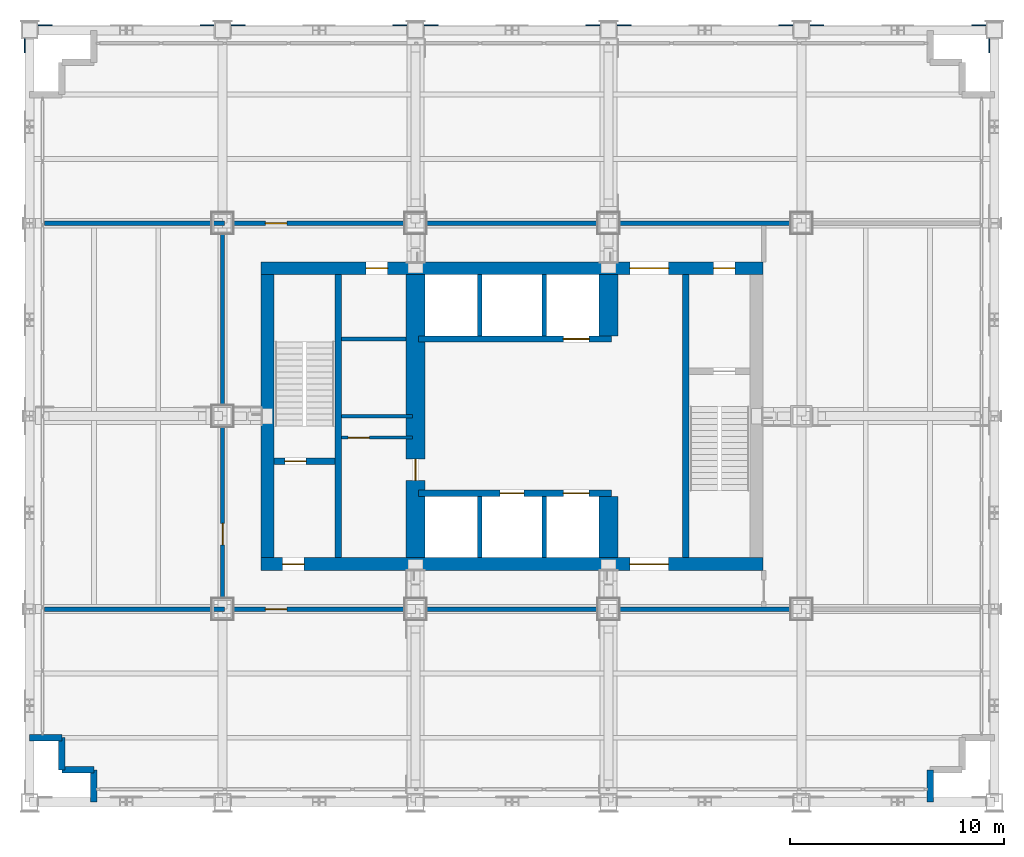
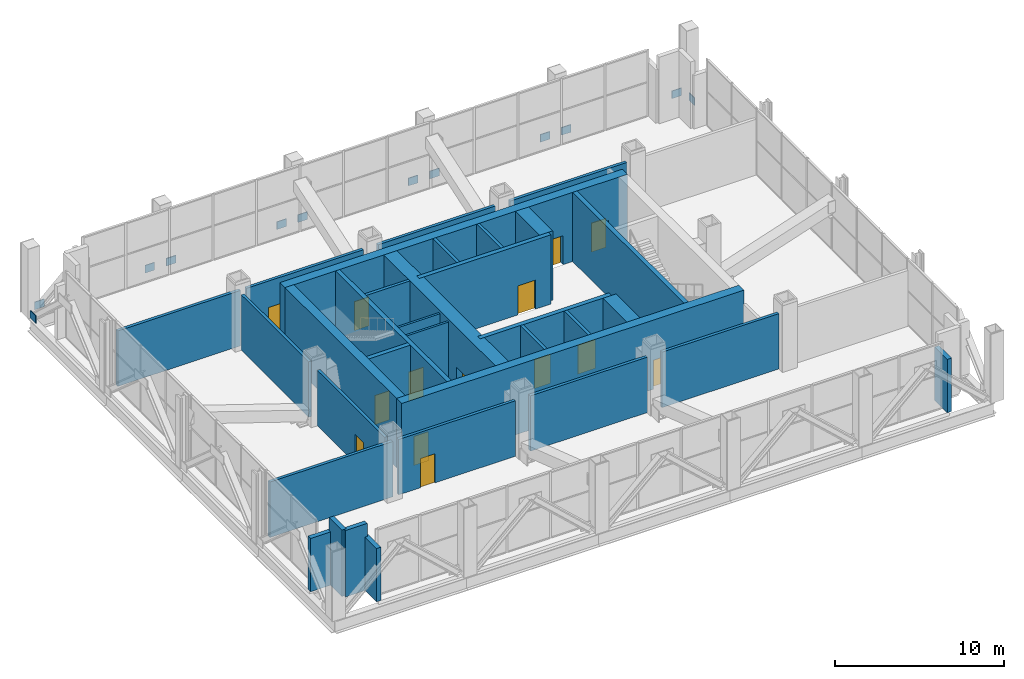
# One storey, part 14 of 16: 33 walls, 14 doors, 12 plates, 14 openings.
"""IFC4 building model written with IfcOpenShell, lengths in metres."""

import ifcopenshell
import ifcopenshell.guid

model = None  # the IFC model being written
_history = None  # IfcOwnerHistory: only IFC2X3 demands one
_inside = {}  # id of a spatial element -> (the spatial element, [elements in it])
_under = {}  # id of a project, library or spatial element -> (it, [spatial elements below it])
_declared = {}  # id of a project -> (the project, [libraries it declares])
_typed = {}  # id of a type object -> (the type object, [elements of that type])
_made_of = {}  # id of a material, layer set ... -> (it, [elements and type objects made of it])


def new_model(schema):
    """Start an empty IFC model of exactly this schema.

    Asked for "IFC4X3", IfcOpenShell would pick the latest addendum, in which some entities
    have other attributes; the version numbers below select the first issue.
    IFC2X3 requires an IfcOwnerHistory on every rooted entity: one is made here for all.
    """
    global model, _history
    if schema == "IFC4X3":
        model = ifcopenshell.file(schema_version=(4, 3, 0, 0))
    else:
        model = ifcopenshell.file(schema=schema)
    _inside.clear()
    _under.clear()
    _declared.clear()
    _typed.clear()
    _made_of.clear()
    _history = None
    if model.schema == "IFC2X3":
        org = make("IfcOrganization", Name="unknown")
        user = make(
            "IfcPersonAndOrganization",
            ThePerson=make("IfcPerson", FamilyName="unknown"),
            TheOrganization=org,
        )
        app = make(
            "IfcApplication",
            ApplicationDeveloper=org,
            Version="unknown",
            ApplicationFullName="unknown",
            ApplicationIdentifier="unknown",
        )
        _history = make(
            "IfcOwnerHistory",
            OwningUser=user,
            OwningApplication=app,
            ChangeAction="ADDED",
            CreationDate=0,
        )
    return model


def make(cls, **values):
    """One entity of the class cls with the attributes given. An attribute that is None is left unset."""
    return model.create_entity(
        cls, **{name: value for name, value in values.items() if value is not None}
    )


def rooted(cls, **values):
    """An entity with a GlobalId (a new one), such as an element, a storey or a relation."""
    return make(cls, GlobalId=ifcopenshell.guid.new(), OwnerHistory=_history, **values)


def si_unit(unit_type, name, prefix=None):
    """IfcSIUnit, for example si_unit("LENGTHUNIT", "METRE", prefix="MILLI")."""
    return make("IfcSIUnit", UnitType=unit_type, Prefix=prefix, Name=name)


def assignment(units):
    """IfcUnitAssignment: the units of a project."""
    return None if units is None else make("IfcUnitAssignment", Units=units)


def point(xyz):
    """IfcCartesianPoint."""
    return None if xyz is None else make("IfcCartesianPoint", Coordinates=xyz)


def direction(xyz):
    """IfcDirection."""
    return None if xyz is None else make("IfcDirection", DirectionRatios=xyz)


def frame(location, z_axis=None, x_axis=None):
    """IfcAxis2Placement3D, a coordinate frame: its origin and axes. An axis left out is left unset."""
    return make(
        "IfcAxis2Placement3D",
        Location=point(location),
        Axis=direction(z_axis),
        RefDirection=direction(x_axis),
    )


def frame_2d(location, x_axis=None):
    """IfcAxis2Placement2D, a coordinate frame in the plane: its origin and x axis."""
    return make(
        "IfcAxis2Placement2D", Location=point(location), RefDirection=direction(x_axis)
    )


def origin():
    """The frame at (0, 0, 0) with its axes left unset."""
    return frame((0.0, 0.0, 0.0))


def origin_2d():
    """The frame at (0, 0) in the plane with its x axis left unset."""
    return frame_2d((0.0, 0.0))


def place(relative_to, where):
    """IfcLocalPlacement: puts the frame where relative to a parent placement (None: the world)."""
    return make(
        "IfcLocalPlacement", PlacementRelTo=relative_to, RelativePlacement=where
    )


def context(
    kind, dimensions, precision=None, world=None, true_north=None, identifier=None
):
    """IfcGeometricRepresentationContext, for example the 3D "Model" context."""
    return make(
        "IfcGeometricRepresentationContext",
        ContextIdentifier=identifier,
        ContextType=kind,
        CoordinateSpaceDimension=dimensions,
        Precision=precision,
        WorldCoordinateSystem=world,
        TrueNorth=true_north,
    )


def subcontext(parent, identifier, kind, view, scale=None):
    """IfcGeometricRepresentationSubContext, for example "Body" below "Model"."""
    return make(
        "IfcGeometricRepresentationSubContext",
        ContextIdentifier=identifier,
        ContextType=kind,
        ParentContext=parent,
        TargetScale=scale,
        TargetView=view,
    )


def project(units=None, contexts=None):
    """IfcProject with its units and contexts."""
    return rooted(
        "IfcProject",
        Name="project",
        RepresentationContexts=contexts,
        UnitsInContext=assignment(units),
    )


def spatial(cls, under=None, at=None, **own):
    """A site, building, storey or space (cls), placed at a placement, below another one or the project."""
    s = rooted(cls, ObjectPlacement=at, **own)
    if under is not None:
        _under.setdefault(under.id(), (under, []))[1].append(s)
    return s


def profile(cls, at=None, kind="AREA", **sizes):
    """A parametric profile (cls). Its sizes go by their IFC names, for example OverallWidth=200.0."""
    return make(cls, ProfileType=kind, Position=at, **sizes)


def rectangle(**sizes):
    """IfcRectangleProfileDef."""
    return profile("IfcRectangleProfileDef", **sizes)


def extrude(swept, where, along, depth):
    """IfcExtrudedAreaSolid: the profile swept, set in the frame where, extruded along a direction by depth."""
    return make(
        "IfcExtrudedAreaSolid",
        SweptArea=swept,
        Position=where,
        ExtrudedDirection=direction(along),
        Depth=depth,
    )


def shape(context_of_items, identifier, shape_type, items):
    """IfcShapeRepresentation: the items that make up one representation, for example the "Body"."""
    return make(
        "IfcShapeRepresentation",
        ContextOfItems=context_of_items,
        RepresentationIdentifier=identifier,
        RepresentationType=shape_type,
        Items=items,
    )


def material(Name=None, Category=None):
    """IfcMaterial."""
    return make("IfcMaterial", Name=Name, Category=Category)


def layer(
    of_material, thickness, ventilated=None, Name=None, Category=None, Priority=None
):
    """IfcMaterialLayer: one layer of a wall or slab, of a material (None: an air gap)."""
    return make(
        "IfcMaterialLayer",
        Material=of_material,
        LayerThickness=thickness,
        IsVentilated=ventilated,
        Name=Name,
        Category=Category,
        Priority=Priority,
    )


def layer_set(layers, Name=None):
    """IfcMaterialLayerSet."""
    return make("IfcMaterialLayerSet", MaterialLayers=layers, LayerSetName=Name)


def made_of(thing, what):
    """Note that an element or type object is made of a material, layer set ...; save() writes the relation."""
    if what is not None:
        _made_of.setdefault(what.id(), (what, []))[1].append(thing)
    return thing


def type_object(cls, material=None, **own):
    """A type object (cls), such as IfcWallType, which elements share."""
    return made_of(rooted(cls, **own), material)


def element(
    cls,
    number,
    at=None,
    inside=None,
    cuts=None,
    type_object=None,
    material=None,
    context=None,
    identifier="Body",
    shape_type=None,
    held_by="IfcProductDefinitionShape",
    body=None,
    shapes=None,
    **own,
):
    """One element of the class cls, such as IfcWall. Its Tag is "e" and its number.

    at: its placement. inside: the storey or other place that contains it. cuts: it is an
    opening in that element (IfcRelVoidsElement). A single representation is given by context,
    identifier, shape_type and body (its items); several are given by shapes. held_by: the class
    of the entity that holds the representations. save() writes the other relations.
    """
    e = rooted(cls, Tag="e%d" % number, ObjectPlacement=at, **own)
    if body is not None:
        shapes = [shape(context, identifier, shape_type, body)]
    if shapes is not None:
        e.Representation = make(held_by, Representations=shapes)
    if inside is not None:
        _inside.setdefault(inside.id(), (inside, []))[1].append(e)
    if cuts is not None:
        rooted(
            "IfcRelVoidsElement", RelatingBuildingElement=cuts, RelatedOpeningElement=e
        )
    if type_object is not None:
        _typed.setdefault(type_object.id(), (type_object, []))[1].append(e)
    return made_of(e, material)


def fill(opening, filler):
    """IfcRelFillsElement: the door or window that sits in an opening."""
    return rooted(
        "IfcRelFillsElement",
        RelatingOpeningElement=opening,
        RelatedBuildingElement=filler,
    )


def aggregate(whole, parts):
    """IfcRelAggregates: a whole, such as a stair, and the parts it consists of."""
    return rooted("IfcRelAggregates", RelatingObject=whole, RelatedObjects=parts)


def save(model, path):
    """Write the relations noted so far, then the file.

    IfcRelAggregates (storeys below a building ...), IfcRelContainedInSpatialStructure (elements
    in a storey), IfcRelDefinesByType, IfcRelAssociatesMaterial and IfcRelDeclares: one each for
    every whole, place, type object, material and project.
    """
    for whole, parts in _under.values():
        aggregate(whole, parts)
    for where, things in _inside.values():
        rooted(
            "IfcRelContainedInSpatialStructure",
            RelatedElements=things,
            RelatingStructure=where,
        )
    for kind, things in _typed.values():
        rooted("IfcRelDefinesByType", RelatedObjects=things, RelatingType=kind)
    for what, things in _made_of.values():
        rooted("IfcRelAssociatesMaterial", RelatedObjects=things, RelatingMaterial=what)
    for by, libraries in _declared.values():
        rooted("IfcRelDeclares", RelatingContext=by, RelatedDefinitions=libraries)
    model.write(path)


model = new_model("IFC4")

# Units and contexts
model_context = context("Model", 3, precision=1e-05, world=origin(), true_north=direction((0.0, 1.0)))
body_context = subcontext(model_context, "Body", "Model", "MODEL_VIEW")
ifc_project = project(units=[si_unit("LENGTHUNIT", "METRE"), si_unit("AREAUNIT", "SQUARE_METRE"), si_unit("VOLUMEUNIT", "CUBIC_METRE"), si_unit("PLANEANGLEUNIT", "RADIAN"), si_unit("MASSUNIT", "GRAM", prefix="KILO")], contexts=[model_context])

# Site, building, storey
site_placement = place(None, origin())
site = spatial("IfcSite", under=ifc_project, at=site_placement, CompositionType="ELEMENT")
building_placement = place(site_placement, origin())
building = spatial("IfcBuilding", under=site, at=building_placement, Name="Loomwork Tower", CompositionType="ELEMENT")
storey_placement = place(building_placement, frame((0.0, 0.0, 155.39990234375)))
storey = spatial("IfcBuildingStorey", under=building, at=storey_placement, Name="L42", CompositionType="ELEMENT", Elevation=155.39990234375)

# Plates
ifc_material_1 = material(Name="Steel ASTM A572 Grade 50 plate", Category="steel")
ifc_layer_1 = layer(ifc_material_1, 0.050048828125)
ifc_layer_set_1 = layer_set([ifc_layer_1], Name="BELT TRUSS PIER GUSSET PLATE 50")
plate_type = type_object("IfcPlateType", Name="BELT TRUSS PIER GUSSET PLATE 50", PredefinedType="SHEET", material=ifc_layer_set_1)
for number, where, z_axis, x_axis, name in (
    (1, (-0.235595703125, 35.27294921875, 0.001953125), (0.0, 0.0, 1.0), (0.0, 1.0, 0.0), "Belt truss pier gusset plate G/2-H/2 2 L42"),
    (2, (44.764404296875, 35.27294921875, 0.001953125), (0.0, 0.0, 1.0), (0.0, 1.0, 0.0), "Belt truss pier gusset plate G/7-H/7 2 L42"),
    (3, (0.72705078125, 36.235595703125, 0.001953125), (0.0, 0.0, 1.0), (1.0, 0.0, 0.0), "Belt truss pier gusset plate H/2-H/3 1 L42"),
    (4, (8.27294921875, 36.235595703125, 0.001953125), (0.0, 0.0, 1.0), (1.0, 0.0, 0.0), "Belt truss pier gusset plate H/2-H/3 2 L42"),
    (5, (9.72705078125, 36.235595703125, 0.001953125), (0.0, 0.0, 1.0), (1.0, 0.0, 0.0), "Belt truss pier gusset plate H/3-H/4 1 L42"),
    (6, (17.27294921875, 36.235595703125, 0.001953125), (0.0, 0.0, 1.0), (1.0, 0.0, 0.0), "Belt truss pier gusset plate H/3-H/4 2 L42"),
    (7, (18.72705078125, 36.235595703125, 0.001953125), (0.0, 0.0, 1.0), (1.0, 0.0, 0.0), "Belt truss pier gusset plate H/4-H/5 1 L42"),
    (8, (26.27294921875, 36.235595703125, 0.001953125), (0.0, 0.0, 1.0), (1.0, 0.0, 0.0), "Belt truss pier gusset plate H/4-H/5 2 L42"),
    (9, (27.72705078125, 36.235595703125, 0.001953125), (0.0, 0.0, 1.0), (1.0, 0.0, 0.0), "Belt truss pier gusset plate H/5-H/6 1 L42"),
    (10, (35.27294921875, 36.235595703125, 0.001953125), (0.0, 0.0, 1.0), (1.0, 0.0, 0.0), "Belt truss pier gusset plate H/5-H/6 2 L42"),
    (11, (36.72705078125, 36.235595703125, 0.001953125), (0.0, 0.0, 1.0), (1.0, 0.0, 0.0), "Belt truss pier gusset plate H/6-H/7 1 L42"),
    (12, (44.27294921875, 36.235595703125, 0.001953125), (0.0, 0.0, 1.0), (1.0, 0.0, 0.0), "Belt truss pier gusset plate H/6-H/7 2 L42"),
):
    element("IfcPlate", number, at=place(storey_placement, frame(where, z_axis=z_axis, x_axis=x_axis)), inside=storey, type_object=plate_type, Name=name, PredefinedType="SHEET", context=body_context, shape_type="SweptSolid", body=[
        extrude(rectangle(XDim=0.64990234375, YDim=0.050048828125, at=origin_2d()), origin(), (0.0, 0.0, 1.0), 0.550048828125),
    ])

# Wall
ifc_material_2 = material(Name="Concrete 14000 psi (97 MPa)", Category="concrete")
ifc_layer_2 = layer(ifc_material_2, 0.300048828125)
ifc_layer_set_2 = layer_set([ifc_layer_2], Name="Core shear wall 300")
wall_type_1 = type_object("IfcWallType", Name="Core shear wall 300", PredefinedType="SHEAR", material=ifc_layer_set_2)
wall_1_placement = place(storey_placement, frame((14.39990234375, 11.39990234375, 0.0), z_axis=(0.0, 0.0, 1.0), x_axis=(0.0, 1.0, 0.0)))
element("IfcWall", 13, at=wall_1_placement, inside=storey, type_object=wall_type_1, Name="Stair A east wall L42", PredefinedType="SHEAR", context=body_context, shape_type="SweptSolid", body=[
    extrude(rectangle(XDim=13.2001953125, YDim=0.300048828125, at=frame_2d((6.60009765625, 0.0))), origin(), (0.0, 0.0, 1.0), 5.0),
])

# Wall, opening, door
wall_2_placement = place(storey_placement, frame((11.39990234375, 15.89990234375, 0.0), z_axis=(0.0, 0.0, 1.0), x_axis=(1.0, 0.0, 0.0)))
wall_2 = element("IfcWall", 14, at=wall_2_placement, inside=storey, type_object=wall_type_1, Name="Stair A south wall L42", PredefinedType="SHEAR", context=body_context, shape_type="SweptSolid", body=[
    extrude(rectangle(XDim=2.85009765625, YDim=0.300048828125, at=frame_2d((1.425048828125, 0.0))), origin(), (0.0, 0.0, 1.0), 5.0),
])
opening_1_placement = place(wall_2_placement, frame((0.5, 0.0, 0.0)))
opening_1 = element("IfcOpeningElement", 15, at=opening_1_placement, cuts=wall_2, Name="Opening D4", PredefinedType="OPENING", context=body_context, shape_type="SweptSolid", body=[
    extrude(rectangle(XDim=1.0, YDim=2.10009765625, at=frame_2d((0.5, 1.050048828125))), frame((0.0, 0.159912109375, 0.0), z_axis=(0.0, -1.0, 0.0), x_axis=(1.0, 0.0, 0.0)), (0.0, 0.0, 1.0), 0.320068359375),
])
ifc_material_3 = material(Name="Hollow metal door and frame")
door_type_1 = type_object("IfcDoorType", Name="Stair door 1000", OperationType="SINGLE_SWING_RIGHT", PredefinedType="DOOR", material=ifc_material_3)
door_1_placement = place(opening_1_placement, origin())
door_1 = element("IfcDoor", 16, at=door_1_placement, inside=storey, type_object=door_type_1, Name="Stair A door", OperationType="SINGLE_SWING_LEFT", OverallHeight=2.10009765625, OverallWidth=1.0, PredefinedType="DOOR", context=body_context, shape_type="SweptSolid", body=[
    extrude(rectangle(XDim=1.0, YDim=2.10009765625, at=frame_2d((0.5, 1.050048828125))), frame((0.0, 0.02490234375, 0.0), z_axis=(0.0, -1.0, 0.0), x_axis=(1.0, 0.0, 0.0)), (0.0, 0.0, 1.0), 0.050048828125),
])
fill(opening_1, door_1)

# Wall, openings, doors
wall_3_placement = place(storey_placement, frame((18.14990234375, 14.39990234375, 0.0), z_axis=(0.0, 0.0, 1.0), x_axis=(1.0, 0.0, 0.0)))
wall_3 = element("IfcWall", 17, at=wall_3_placement, inside=storey, type_object=wall_type_1, Name="Lift front wall south L42", PredefinedType="SHEAR", context=body_context, shape_type="SweptSolid", body=[
    extrude(rectangle(XDim=9.0, YDim=0.300048828125, at=frame_2d((4.5, 0.0))), origin(), (0.0, 0.0, 1.0), 5.0),
])
opening_2_placement = place(wall_3_placement, frame((6.75, 0.0, 0.0)))
opening_2 = element("IfcOpeningElement", 18, at=opening_2_placement, cuts=wall_3, Name="Opening LD2", PredefinedType="OPENING", context=body_context, shape_type="SweptSolid", body=[
    extrude(rectangle(XDim=1.199951171875, YDim=2.10009765625, at=frame_2d((0.60009765625, 1.050048828125))), frame((0.0, 0.159912109375, 0.0), z_axis=(0.0, -1.0, 0.0), x_axis=(1.0, 0.0, 0.0)), (0.0, 0.0, 1.0), 0.320068359375),
])
opening_3_placement = place(wall_3_placement, frame((3.800048828125, 0.0, 0.0)))
opening_3 = element("IfcOpeningElement", 19, at=opening_3_placement, cuts=wall_3, Name="Opening D17", PredefinedType="OPENING", context=body_context, shape_type="SweptSolid", body=[
    extrude(rectangle(XDim=1.10009765625, YDim=2.10009765625, at=frame_2d((0.550048828125, 1.050048828125))), frame((0.0, 0.159912109375, 0.0), z_axis=(0.0, -1.0, 0.0), x_axis=(1.0, 0.0, 0.0)), (0.0, 0.0, 1.0), 0.320068359375),
])
ifc_material_4 = material(Name="Hollow metal door and frame")
door_type_2 = type_object("IfcDoorType", Name="Lift landing door 1200", OperationType="SLIDING_TO_LEFT", PredefinedType="DOOR", material=ifc_material_4)
door_2_placement = place(opening_2_placement, origin())
door_2 = element("IfcDoor", 20, at=door_2_placement, inside=storey, type_object=door_type_2, Name="Lift landing door LF1", OperationType="SLIDING_TO_LEFT", OverallHeight=2.10009765625, OverallWidth=1.199951171875, PredefinedType="DOOR", context=body_context, shape_type="SweptSolid", body=[
    extrude(rectangle(XDim=1.199951171875, YDim=2.10009765625, at=frame_2d((0.60009765625, 1.050048828125))), frame((0.0, 0.02490234375, 0.0), z_axis=(0.0, -1.0, 0.0), x_axis=(1.0, 0.0, 0.0)), (0.0, 0.0, 1.0), 0.050048828125),
])
fill(opening_2, door_2)
ifc_material_5 = material(Name="Hollow metal door and frame")
door_type_3 = type_object("IfcDoorType", Name="Service room door 1100", OperationType="SINGLE_SWING_LEFT", PredefinedType="DOOR", material=ifc_material_5)
door_3_placement = place(opening_3_placement, frame((1.10009765625, 0.0, 0.0), z_axis=(0.0, 0.0, 1.0), x_axis=(-1.0, 0.0, 0.0)))
door_3 = element("IfcDoor", 21, at=door_3_placement, inside=storey, type_object=door_type_3, Name="Mechanical controls room door L42", OperationType="SINGLE_SWING_RIGHT", OverallHeight=2.10009765625, OverallWidth=1.10009765625, PredefinedType="DOOR", context=body_context, shape_type="SweptSolid", body=[
    extrude(rectangle(XDim=1.10009765625, YDim=2.10009765625, at=frame_2d((0.550048828125, 1.050048828125))), frame((0.0, 0.02490234375, 0.0), z_axis=(0.0, -1.0, 0.0), x_axis=(1.0, 0.0, 0.0)), (0.0, 0.0, 1.0), 0.050048828125),
])
fill(opening_3, door_3)

# Wall, opening, door
wall_4_placement = place(storey_placement, frame((18.14990234375, 21.60009765625, 0.0), z_axis=(0.0, 0.0, 1.0), x_axis=(1.0, 0.0, 0.0)))
wall_4 = element("IfcWall", 22, at=wall_4_placement, inside=storey, type_object=wall_type_1, Name="Lift front wall north L42", PredefinedType="SHEAR", context=body_context, shape_type="SweptSolid", body=[
    extrude(rectangle(XDim=9.0, YDim=0.300048828125, at=frame_2d((4.5, 0.0))), origin(), (0.0, 0.0, 1.0), 5.0),
])
opening_4_placement = place(wall_4_placement, frame((6.75, 0.0, 0.0)))
opening_4 = element("IfcOpeningElement", 23, at=opening_4_placement, cuts=wall_4, Name="Opening LD2", PredefinedType="OPENING", context=body_context, shape_type="SweptSolid", body=[
    extrude(rectangle(XDim=1.199951171875, YDim=2.10009765625, at=frame_2d((0.60009765625, 1.050048828125))), frame((0.0, 0.159912109375, 0.0), z_axis=(0.0, -1.0, 0.0), x_axis=(1.0, 0.0, 0.0)), (0.0, 0.0, 1.0), 0.320068359375),
])
door_4_placement = place(opening_4_placement, origin())
door_4 = element("IfcDoor", 24, at=door_4_placement, inside=storey, type_object=door_type_2, Name="Lift landing door LF2", OperationType="SLIDING_TO_LEFT", OverallHeight=2.10009765625, OverallWidth=1.199951171875, PredefinedType="DOOR", context=body_context, shape_type="SweptSolid", body=[
    extrude(rectangle(XDim=1.199951171875, YDim=2.10009765625, at=frame_2d((0.60009765625, 1.050048828125))), frame((0.0, 0.02490234375, 0.0), z_axis=(0.0, -1.0, 0.0), x_axis=(1.0, 0.0, 0.0)), (0.0, 0.0, 1.0), 0.050048828125),
])
fill(opening_4, door_4)

# Wall
wall_5_placement = place(storey_placement, frame((30.60009765625, 11.39990234375, 0.0), z_axis=(0.0, 0.0, 1.0), x_axis=(0.0, 1.0, 0.0)))
element("IfcWall", 25, at=wall_5_placement, inside=storey, type_object=wall_type_1, Name="Stair B west wall L42", PredefinedType="SHEAR", context=body_context, shape_type="SweptSolid", body=[
    extrude(rectangle(XDim=13.2001953125, YDim=0.300048828125, at=frame_2d((6.60009765625, 0.0))), origin(), (0.0, 0.0, 1.0), 5.0),
])

# Wall, openings, doors
ifc_material_6 = material(Name="Concrete 14000 psi (97 MPa)", Category="concrete")
ifc_layer_3 = layer(ifc_material_6, 0.60009765625)
ifc_layer_set_3 = layer_set([ifc_layer_3], Name="Core shear wall 600")
wall_type_2 = type_object("IfcWallType", Name="Core shear wall 600", PredefinedType="SHEAR", material=ifc_layer_set_3)
wall_6_placement = place(storey_placement, frame((10.800048828125, 11.10009765625, 0.0), z_axis=(0.0, 0.0, 1.0), x_axis=(1.0, 0.0, 0.0)))
wall_6 = element("IfcWall", 26, at=wall_6_placement, inside=storey, type_object=wall_type_2, Name="Core wall south L42", PredefinedType="SHEAR", context=body_context, shape_type="SweptSolid", body=[
    extrude(rectangle(XDim=23.39990234375, YDim=0.60009765625, at=frame_2d((11.699951171875, 0.0))), origin(), (0.0, 0.0, 1.0), 5.0),
])
opening_5_placement = place(wall_6_placement, frame((1.0, 0.0, 0.0)))
opening_5 = element("IfcOpeningElement", 27, at=opening_5_placement, cuts=wall_6, Name="Opening D4", PredefinedType="OPENING", context=body_context, shape_type="SweptSolid", body=[
    extrude(rectangle(XDim=1.0, YDim=2.10009765625, at=frame_2d((0.5, 1.050048828125))), frame((0.0, 0.31005859375, 0.0), z_axis=(0.0, -1.0, 0.0), x_axis=(1.0, 0.0, 0.0)), (0.0, 0.0, 1.0), 0.6201171875),
])
opening_6_placement = place(wall_6_placement, frame((17.199951171875, 0.0, 0.0)))
opening_6 = element("IfcOpeningElement", 28, at=opening_6_placement, cuts=wall_6, Name="Opening D6", PredefinedType="OPENING", context=body_context, shape_type="SweptSolid", body=[
    extrude(rectangle(XDim=1.800048828125, YDim=2.10009765625, at=frame_2d((0.89990234375, 1.050048828125))), frame((0.0, 0.31005859375, 0.0), z_axis=(0.0, -1.0, 0.0), x_axis=(1.0, 0.0, 0.0)), (0.0, 0.0, 1.0), 0.6201171875),
])
ifc_material_7 = material(Name="Hollow metal door and frame")
door_type_4 = type_object("IfcDoorType", Name="Lobby passage double door 1800", OperationType="DOUBLE_DOOR_SINGLE_SWING", PredefinedType="DOOR", material=ifc_material_7)
door_5_placement = place(opening_6_placement, origin())
door_5 = element("IfcDoor", 29, at=door_5_placement, inside=storey, type_object=door_type_4, Name="Lobby passage door south", OperationType="DOUBLE_DOOR_SINGLE_SWING", OverallHeight=2.10009765625, OverallWidth=1.800048828125, PredefinedType="DOOR", context=body_context, shape_type="SweptSolid", body=[
    extrude(rectangle(XDim=1.800048828125, YDim=2.10009765625, at=frame_2d((0.89990234375, 1.050048828125))), frame((0.0, 0.02490234375, 0.0), z_axis=(0.0, -1.0, 0.0), x_axis=(1.0, 0.0, 0.0)), (0.0, 0.0, 1.0), 0.050048828125),
])
fill(opening_6, door_5)
door_6_placement = place(opening_5_placement, origin())
door_6 = element("IfcDoor", 30, at=door_6_placement, inside=storey, type_object=door_type_1, Name="Stair A vestibule door", OperationType="SINGLE_SWING_LEFT", OverallHeight=2.10009765625, OverallWidth=1.0, PredefinedType="DOOR", context=body_context, shape_type="SweptSolid", body=[
    extrude(rectangle(XDim=1.0, YDim=2.10009765625, at=frame_2d((0.5, 1.050048828125))), frame((0.0, 0.02490234375, 0.0), z_axis=(0.0, -1.0, 0.0), x_axis=(1.0, 0.0, 0.0)), (0.0, 0.0, 1.0), 0.050048828125),
])
fill(opening_5, door_6)

wall_7_placement = place(storey_placement, frame((10.800048828125, 24.89990234375, 0.0), z_axis=(0.0, 0.0, 1.0), x_axis=(1.0, 0.0, 0.0)))
wall_7 = element("IfcWall", 31, at=wall_7_placement, inside=storey, type_object=wall_type_2, Name="Core wall north L42", PredefinedType="SHEAR", context=body_context, shape_type="SweptSolid", body=[
    extrude(rectangle(XDim=23.39990234375, YDim=0.60009765625, at=frame_2d((11.699951171875, 0.0))), origin(), (0.0, 0.0, 1.0), 5.0),
])
opening_7_placement = place(wall_7_placement, frame((17.199951171875, 0.0, 0.0)))
opening_7 = element("IfcOpeningElement", 32, at=opening_7_placement, cuts=wall_7, Name="Opening D6", PredefinedType="OPENING", context=body_context, shape_type="SweptSolid", body=[
    extrude(rectangle(XDim=1.800048828125, YDim=2.10009765625, at=frame_2d((0.89990234375, 1.050048828125))), frame((0.0, 0.31005859375, 0.0), z_axis=(0.0, -1.0, 0.0), x_axis=(1.0, 0.0, 0.0)), (0.0, 0.0, 1.0), 0.6201171875),
])
opening_8_placement = place(wall_7_placement, frame((21.10009765625, 0.0, 0.0)))
opening_8 = element("IfcOpeningElement", 33, at=opening_8_placement, cuts=wall_7, Name="Opening D4", PredefinedType="OPENING", context=body_context, shape_type="SweptSolid", body=[
    extrude(rectangle(XDim=1.0, YDim=2.10009765625, at=frame_2d((0.5, 1.050048828125))), frame((0.0, 0.31005859375, 0.0), z_axis=(0.0, -1.0, 0.0), x_axis=(1.0, 0.0, 0.0)), (0.0, 0.0, 1.0), 0.6201171875),
])
opening_9_placement = place(wall_7_placement, frame((4.89990234375, 0.0, 0.0)))
opening_9 = element("IfcOpeningElement", 34, at=opening_9_placement, cuts=wall_7, Name="Opening D5", PredefinedType="OPENING", context=body_context, shape_type="SweptSolid", body=[
    extrude(rectangle(XDim=1.0, YDim=2.10009765625, at=frame_2d((0.5, 1.050048828125))), frame((0.0, 0.31005859375, 0.0), z_axis=(0.0, -1.0, 0.0), x_axis=(1.0, 0.0, 0.0)), (0.0, 0.0, 1.0), 0.6201171875),
])
door_7_placement = place(opening_7_placement, frame((1.800048828125, 0.0, 0.0), z_axis=(0.0, 0.0, 1.0), x_axis=(-1.0, 0.0, 0.0)))
door_7 = element("IfcDoor", 35, at=door_7_placement, inside=storey, type_object=door_type_4, Name="Lobby passage door north", OperationType="DOUBLE_DOOR_SINGLE_SWING", OverallHeight=2.10009765625, OverallWidth=1.800048828125, PredefinedType="DOOR", context=body_context, shape_type="SweptSolid", body=[
    extrude(rectangle(XDim=1.800048828125, YDim=2.10009765625, at=frame_2d((0.89990234375, 1.050048828125))), frame((0.0, 0.02490234375, 0.0), z_axis=(0.0, -1.0, 0.0), x_axis=(1.0, 0.0, 0.0)), (0.0, 0.0, 1.0), 0.050048828125),
])
fill(opening_7, door_7)
ifc_material_8 = material(Name="Hollow metal door and frame")
door_type_5 = type_object("IfcDoorType", Name="Service door 1000", OperationType="SINGLE_SWING_LEFT", PredefinedType="DOOR", material=ifc_material_8)
door_8_placement = place(opening_9_placement, frame((1.0, 0.0, 0.0), z_axis=(0.0, 0.0, 1.0), x_axis=(-1.0, 0.0, 0.0)))
door_8 = element("IfcDoor", 36, at=door_8_placement, inside=storey, type_object=door_type_5, Name="Back-of-house door north", OperationType="SINGLE_SWING_LEFT", OverallHeight=2.10009765625, OverallWidth=1.0, PredefinedType="DOOR", context=body_context, shape_type="SweptSolid", body=[
    extrude(rectangle(XDim=1.0, YDim=2.10009765625, at=frame_2d((0.5, 1.050048828125))), frame((0.0, 0.02490234375, 0.0), z_axis=(0.0, -1.0, 0.0), x_axis=(1.0, 0.0, 0.0)), (0.0, 0.0, 1.0), 0.050048828125),
])
fill(opening_9, door_8)
door_9_placement = place(opening_8_placement, frame((1.0, 0.0, 0.0), z_axis=(0.0, 0.0, 1.0), x_axis=(-1.0, 0.0, 0.0)))
door_9 = element("IfcDoor", 37, at=door_9_placement, inside=storey, type_object=door_type_1, Name="Stair B vestibule door", OperationType="SINGLE_SWING_LEFT", OverallHeight=2.10009765625, OverallWidth=1.0, PredefinedType="DOOR", context=body_context, shape_type="SweptSolid", body=[
    extrude(rectangle(XDim=1.0, YDim=2.10009765625, at=frame_2d((0.5, 1.050048828125))), frame((0.0, 0.02490234375, 0.0), z_axis=(0.0, -1.0, 0.0), x_axis=(1.0, 0.0, 0.0)), (0.0, 0.0, 1.0), 0.050048828125),
])
fill(opening_8, door_9)

# Wall
wall_8_placement = place(storey_placement, frame((11.10009765625, 11.39990234375, 0.0), z_axis=(0.0, 0.0, 1.0), x_axis=(0.0, 1.0, 0.0)))
element("IfcWall", 38, at=wall_8_placement, inside=storey, type_object=wall_type_2, Name="Core wall west L42", PredefinedType="SHEAR", context=body_context, shape_type="SweptSolid", body=[
    extrude(rectangle(XDim=13.2001953125, YDim=0.60009765625, at=frame_2d((6.60009765625, 0.0))), origin(), (0.0, 0.0, 1.0), 5.0),
])

# Wall, opening, door
ifc_material_9 = material(Name="Concrete 14000 psi (97 MPa)", Category="concrete")
ifc_layer_4 = layer(ifc_material_9, 0.89990234375)
ifc_layer_set_4 = layer_set([ifc_layer_4], Name="Core shear wall 900")
wall_type_3 = type_object("IfcWallType", Name="Core shear wall 900", PredefinedType="SHEAR", material=ifc_layer_set_4)
wall_9_placement = place(storey_placement, frame((18.0, 11.39990234375, 0.0), z_axis=(0.0, 0.0, 1.0), x_axis=(0.0, 1.0, 0.0)))
wall_9 = element("IfcWall", 39, at=wall_9_placement, inside=storey, type_object=wall_type_3, Name="Lobby west wall L42", PredefinedType="SHEAR", context=body_context, shape_type="SweptSolid", body=[
    extrude(rectangle(XDim=13.2001953125, YDim=0.89990234375, at=frame_2d((6.60009765625, 0.0))), origin(), (0.0, 0.0, 1.0), 5.0),
])
opening_10_placement = place(wall_9_placement, frame((3.60009765625, 0.0, 0.0)))
opening_10 = element("IfcOpeningElement", 40, at=opening_10_placement, cuts=wall_9, Name="Opening D5", PredefinedType="OPENING", context=body_context, shape_type="SweptSolid", body=[
    extrude(rectangle(XDim=1.0, YDim=2.10009765625, at=frame_2d((0.5, 1.050048828125))), frame((0.0, 0.4599609375, 0.0), z_axis=(0.0, -1.0, 0.0), x_axis=(1.0, 0.0, 0.0)), (0.0, 0.0, 1.0), 0.919921875),
])
door_10_placement = place(opening_10_placement, origin())
door_10 = element("IfcDoor", 41, at=door_10_placement, inside=storey, type_object=door_type_5, Name="Back-of-house door south", OperationType="SINGLE_SWING_LEFT", OverallHeight=2.10009765625, OverallWidth=1.0, PredefinedType="DOOR", context=body_context, shape_type="SweptSolid", body=[
    extrude(rectangle(XDim=1.0, YDim=2.10009765625, at=frame_2d((0.5, 1.050048828125))), frame((0.0, 0.02490234375, 0.0), z_axis=(0.0, -1.0, 0.0), x_axis=(1.0, 0.0, 0.0)), (0.0, 0.0, 1.0), 0.050048828125),
])
fill(opening_10, door_10)

# Walls
for number, where, z_axis, x_axis, name in (
    (42, (27.0, 11.39990234375, 0.0), (0.0, 0.0, 1.0), (0.0, 1.0, 0.0), "Lift shaft end wall south L42"),
    (43, (27.0, 21.75, 0.0), (0.0, 0.0, 1.0), (0.0, 1.0, 0.0), "Lift shaft end wall north L42"),
):
    element("IfcWall", number, at=place(storey_placement, frame(where, z_axis=z_axis, x_axis=x_axis)), inside=storey, type_object=wall_type_3, Name=name, PredefinedType="SHEAR", context=body_context, shape_type="SweptSolid", body=[
        extrude(rectangle(XDim=2.85009765625, YDim=0.89990234375, at=frame_2d((1.425048828125, 0.0))), origin(), (0.0, 0.0, 1.0), 5.0),
    ])

# Wall, opening, door
ifc_material_10 = material(Name="Gypsum board on steel studs, one-hour", Category="steel")
ifc_layer_5 = layer(ifc_material_10, 0.199951171875)
ifc_layer_set_5 = layer_set([ifc_layer_5], Name="Corridor wall 200")
wall_type_4 = type_object("IfcWallType", Name="Corridor wall 200", PredefinedType="PARTITIONING", material=ifc_layer_set_5)
wall_10_placement = place(storey_placement, frame((9.5, 9.0, 0.0), z_axis=(0.0, 0.0, 1.0), x_axis=(1.0, 0.0, 0.0)))
wall_10 = element("IfcWall", 44, at=wall_10_placement, inside=storey, type_object=wall_type_4, Name="Plant corridor wall S 1", PredefinedType="PARTITIONING", context=body_context, shape_type="SweptSolid", body=[
    extrude(rectangle(XDim=8.0, YDim=0.199951171875, at=frame_2d((4.0, 0.0))), origin(), (0.0, 0.0, 1.0), 4.005126953125),
])
opening_11_placement = place(wall_10_placement, frame((1.5, 0.0, 0.0)))
opening_11 = element("IfcOpeningElement", 45, at=opening_11_placement, cuts=wall_10, Name="Opening D18", PredefinedType="OPENING", context=body_context, shape_type="SweptSolid", body=[
    extrude(rectangle(XDim=1.0, YDim=2.10009765625, at=frame_2d((0.5, 1.050048828125))), frame((0.0, 0.10986328125, 0.0), z_axis=(0.0, -1.0, 0.0), x_axis=(1.0, 0.0, 0.0)), (0.0, 0.0, 1.0), 0.219970703125),
])
ifc_material_11 = material(Name="Hollow metal door and frame")
door_type_6 = type_object("IfcDoorType", Name="Ninety-minute service door 1000", OperationType="SINGLE_SWING_LEFT", PredefinedType="DOOR", material=ifc_material_11)
door_11_placement = place(opening_11_placement, frame((1.0, 0.0, 0.0), z_axis=(0.0, 0.0, 1.0), x_axis=(-1.0, 0.0, 0.0)))
door_11 = element("IfcDoor", 46, at=door_11_placement, inside=storey, type_object=door_type_6, Name="Air handling plant room door", OperationType="SINGLE_SWING_RIGHT", OverallHeight=2.10009765625, OverallWidth=1.0, PredefinedType="DOOR", context=body_context, shape_type="SweptSolid", body=[
    extrude(rectangle(XDim=1.0, YDim=2.10009765625, at=frame_2d((0.5, 1.050048828125))), frame((0.0, 0.02490234375, 0.0), z_axis=(0.0, -1.0, 0.0), x_axis=(1.0, 0.0, 0.0)), (0.0, 0.0, 1.0), 0.050048828125),
])
fill(opening_11, door_11)

# Walls
for number, where, z_axis, x_axis, name in (
    (47, (18.5, 9.0, 0.0), (0.0, 0.0, 1.0), (1.0, 0.0, 0.0), "Plant corridor wall S 2"),
    (48, (27.5, 9.0, 0.0), (0.0, 0.0, 1.0), (1.0, 0.0, 0.0), "Plant corridor wall S 3"),
):
    element("IfcWall", number, at=place(storey_placement, frame(where, z_axis=z_axis, x_axis=x_axis)), inside=storey, type_object=wall_type_4, Name=name, PredefinedType="PARTITIONING", context=body_context, shape_type="SweptSolid", body=[
        extrude(rectangle(XDim=8.0, YDim=0.199951171875, at=frame_2d((4.0, 0.0))), origin(), (0.0, 0.0, 1.0), 4.005126953125),
    ])

# Wall, opening, door
wall_11_placement = place(storey_placement, frame((9.5, 27.0, 0.0), z_axis=(0.0, 0.0, 1.0), x_axis=(1.0, 0.0, 0.0)))
wall_11 = element("IfcWall", 49, at=wall_11_placement, inside=storey, type_object=wall_type_4, Name="Plant corridor wall N 1", PredefinedType="PARTITIONING", context=body_context, shape_type="SweptSolid", body=[
    extrude(rectangle(XDim=8.0, YDim=0.199951171875, at=frame_2d((4.0, 0.0))), origin(), (0.0, 0.0, 1.0), 4.005126953125),
])
opening_12_placement = place(wall_11_placement, frame((1.5, 0.0, 0.0)))
opening_12 = element("IfcOpeningElement", 50, at=opening_12_placement, cuts=wall_11, Name="Opening D18", PredefinedType="OPENING", context=body_context, shape_type="SweptSolid", body=[
    extrude(rectangle(XDim=1.0, YDim=2.10009765625, at=frame_2d((0.5, 1.050048828125))), frame((0.0, 0.10986328125, 0.0), z_axis=(0.0, -1.0, 0.0), x_axis=(1.0, 0.0, 0.0)), (0.0, 0.0, 1.0), 0.219970703125),
])
door_12_placement = place(opening_12_placement, origin())
door_12 = element("IfcDoor", 51, at=door_12_placement, inside=storey, type_object=door_type_6, Name="Chilled water plant room door", OperationType="SINGLE_SWING_LEFT", OverallHeight=2.10009765625, OverallWidth=1.0, PredefinedType="DOOR", context=body_context, shape_type="SweptSolid", body=[
    extrude(rectangle(XDim=1.0, YDim=2.10009765625, at=frame_2d((0.5, 1.050048828125))), frame((0.0, 0.02490234375, 0.0), z_axis=(0.0, -1.0, 0.0), x_axis=(1.0, 0.0, 0.0)), (0.0, 0.0, 1.0), 0.050048828125),
])
fill(opening_12, door_12)

# Walls
for number, where, z_axis, x_axis, name in (
    (52, (18.5, 27.0, 0.0), (0.0, 0.0, 1.0), (1.0, 0.0, 0.0), "Plant corridor wall N 2"),
    (53, (27.5, 27.0, 0.0), (0.0, 0.0, 1.0), (1.0, 0.0, 0.0), "Plant corridor wall N 3"),
):
    element("IfcWall", number, at=place(storey_placement, frame(where, z_axis=z_axis, x_axis=x_axis)), inside=storey, type_object=wall_type_4, Name=name, PredefinedType="PARTITIONING", context=body_context, shape_type="SweptSolid", body=[
        extrude(rectangle(XDim=8.0, YDim=0.199951171875, at=frame_2d((4.0, 0.0))), origin(), (0.0, 0.0, 1.0), 4.005126953125),
    ])
ifc_material_12 = material(Name="Concrete 14000 psi (97 MPa)", Category="concrete")
ifc_layer_6 = layer(ifc_material_12, 0.199951171875)
ifc_layer_set_6 = layer_set([ifc_layer_6], Name="Lift shaft wall 200")
wall_type_5 = type_object("IfcWallType", Name="Lift shaft wall 200", PredefinedType="SHEAR", material=ifc_layer_set_6)
for number, where, z_axis, x_axis, name in (
    (54, (21.0, 11.39990234375, 0.0), (0.0, 0.0, 1.0), (0.0, 1.0, 0.0), "Lift shaft separation wall south 1 L42"),
    (55, (24.0, 11.39990234375, 0.0), (0.0, 0.0, 1.0), (0.0, 1.0, 0.0), "Lift shaft separation wall south 2 L42"),
    (56, (21.0, 21.75, 0.0), (0.0, 0.0, 1.0), (0.0, 1.0, 0.0), "Lift shaft separation wall north 1 L42"),
    (57, (24.0, 21.75, 0.0), (0.0, 0.0, 1.0), (0.0, 1.0, 0.0), "Lift shaft separation wall north 2 L42"),
):
    element("IfcWall", number, at=place(storey_placement, frame(where, z_axis=z_axis, x_axis=x_axis)), inside=storey, type_object=wall_type_5, Name=name, PredefinedType="SHEAR", context=body_context, shape_type="SweptSolid", body=[
        extrude(rectangle(XDim=2.85009765625, YDim=0.199951171875, at=frame_2d((1.425048828125, 0.0))), origin(), (0.0, 0.0, 1.0), 5.0),
    ])
wall_12_placement = place(storey_placement, frame((14.550048828125, 21.60009765625, 0.0), z_axis=(0.0, 0.0, 1.0), x_axis=(1.0, 0.0, 0.0)))
element("IfcWall", 58, at=wall_12_placement, inside=storey, type_object=wall_type_5, Name="Lift shaft wall west north L42", PredefinedType="SHEAR", context=body_context, shape_type="SweptSolid", body=[
    extrude(rectangle(XDim=3.0, YDim=0.199951171875, at=frame_2d((1.5, 0.0))), origin(), (0.0, 0.0, 1.0), 5.0),
])
ifc_material_13 = material(Name="Limestone on concrete masonry", Category="masonry")
ifc_layer_7 = layer(ifc_material_13, 0.300048828125)
ifc_layer_set_7 = layer_set([ifc_layer_7], Name="Limestone corner wall 300")
wall_type_6 = type_object("IfcWallType", Name="Limestone corner wall 300", PredefinedType="SOLIDWALL", material=ifc_layer_set_7)
for number, where, z_axis, x_axis, name in (
    (59, (42.0, 0.0, 0.0), (0.0, 0.0, 1.0), (0.0, 1.0, 0.0), "Stone corner wall SE 1"),
    (60, (0.0, 3.0, 0.0), (0.0, 0.0, 1.0), (1.0, 0.0, 0.0), "Stone corner wall SW 1"),
):
    element("IfcWall", number, at=place(storey_placement, frame(where, z_axis=z_axis, x_axis=x_axis)), inside=storey, type_object=wall_type_6, Name=name, PredefinedType="SOLIDWALL", context=body_context, shape_type="SweptSolid", body=[
        extrude(rectangle(XDim=1.5, YDim=0.300048828125, at=frame_2d((0.75, 0.0))), origin(), (0.0, 0.0, 1.0), 3.85205078125),
    ])
for number, where, z_axis, x_axis, name in (
    (61, (1.5, 3.0, 0.0), (0.0, 0.0, 1.0), (0.0, -1.0, 0.0), "Stone corner wall SW 2"),
    (62, (1.5, 1.5, 0.0), (0.0, 0.0, 1.0), (1.0, 0.0, 0.0), "Stone corner wall SW 3"),
):
    element("IfcWall", number, at=place(storey_placement, frame(where, z_axis=z_axis, x_axis=x_axis)), inside=storey, type_object=wall_type_6, Name=name, PredefinedType="SOLIDWALL", context=body_context, shape_type="SweptSolid", body=[
        extrude(rectangle(XDim=1.5, YDim=0.300048828125, at=frame_2d((0.75, 0.0))), origin(), (0.0, 0.0, 1.0), 4.800048828125),
    ])
wall_13_placement = place(storey_placement, frame((3.0, 1.5, 0.0), z_axis=(0.0, 0.0, 1.0), x_axis=(0.0, -1.0, 0.0)))
element("IfcWall", 63, at=wall_13_placement, inside=storey, type_object=wall_type_6, Name="Stone corner wall SW 4", PredefinedType="SOLIDWALL", context=body_context, shape_type="SweptSolid", body=[
    extrude(rectangle(XDim=1.5, YDim=0.300048828125, at=frame_2d((0.75, 0.0))), origin(), (0.0, 0.0, 1.0), 3.85205078125),
])
ifc_material_14 = material(Name="Gypsum board on steel studs", Category="steel")
ifc_layer_8 = layer(ifc_material_14, 0.14990234375)
ifc_layer_set_8 = layer_set([ifc_layer_8], Name="Partition 150 two-hour")
wall_type_7 = type_object("IfcWallType", Name="Partition 150 two-hour", PredefinedType="PARTITIONING", material=ifc_layer_set_8)
wall_14_placement = place(storey_placement, frame((14.550048828125, 18.0, 0.0), z_axis=(0.0, 0.0, 1.0), x_axis=(1.0, 0.0, 0.0)))
element("IfcWall", 64, at=wall_14_placement, inside=storey, type_object=wall_type_7, Name="Back-of-house dividing wall L42", PredefinedType="PARTITIONING", context=body_context, shape_type="SweptSolid", body=[
    extrude(rectangle(XDim=3.300048828125, YDim=0.14990234375, at=frame_2d((1.64990234375, 0.0))), origin(), (0.0, 0.0, 1.0), 4.800048828125),
])

# Wall, opening, door
ifc_material_15 = material(Name="Gypsum board on steel studs, two-hour", Category="steel")
ifc_layer_9 = layer(ifc_material_15, 0.199951171875)
ifc_layer_set_9 = layer_set([ifc_layer_9], Name="Refuge enclosure wall 200")
wall_type_8 = type_object("IfcWallType", Name="Refuge enclosure wall 200", PredefinedType="PARTITIONING", material=ifc_layer_set_9)
wall_15_placement = place(storey_placement, frame((9.0, 9.5, 0.0), z_axis=(0.0, 0.0, 1.0), x_axis=(0.0, 1.0, 0.0)))
wall_15 = element("IfcWall", 65, at=wall_15_placement, inside=storey, type_object=wall_type_8, Name="Refuge area wall 1", PredefinedType="PARTITIONING", context=body_context, shape_type="SweptSolid", body=[
    extrude(rectangle(XDim=8.0, YDim=0.199951171875, at=frame_2d((4.0, 0.0))), origin(), (0.0, 0.0, 1.0), 4.005126953125),
])
opening_13_placement = place(wall_15_placement, frame((2.5, 0.0, 0.0)))
opening_13 = element("IfcOpeningElement", 66, at=opening_13_placement, cuts=wall_15, Name="Opening D4", PredefinedType="OPENING", context=body_context, shape_type="SweptSolid", body=[
    extrude(rectangle(XDim=1.0, YDim=2.10009765625, at=frame_2d((0.5, 1.050048828125))), frame((0.0, 0.10986328125, 0.0), z_axis=(0.0, -1.0, 0.0), x_axis=(1.0, 0.0, 0.0)), (0.0, 0.0, 1.0), 0.219970703125),
])
door_13_placement = place(opening_13_placement, origin())
door_13 = element("IfcDoor", 67, at=door_13_placement, inside=storey, type_object=door_type_1, Name="Refuge area door", OperationType="SINGLE_SWING_LEFT", OverallHeight=2.10009765625, OverallWidth=1.0, PredefinedType="DOOR", context=body_context, shape_type="SweptSolid", body=[
    extrude(rectangle(XDim=1.0, YDim=2.10009765625, at=frame_2d((0.5, 1.050048828125))), frame((0.0, 0.02490234375, 0.0), z_axis=(0.0, -1.0, 0.0), x_axis=(1.0, 0.0, 0.0)), (0.0, 0.0, 1.0), 0.050048828125),
])
fill(opening_13, door_13)

# Walls
wall_16_placement = place(storey_placement, frame((9.0, 18.5, 0.0), z_axis=(0.0, 0.0, 1.0), x_axis=(0.0, 1.0, 0.0)))
element("IfcWall", 68, at=wall_16_placement, inside=storey, type_object=wall_type_8, Name="Refuge area wall 2", PredefinedType="PARTITIONING", context=body_context, shape_type="SweptSolid", body=[
    extrude(rectangle(XDim=8.0, YDim=0.199951171875, at=frame_2d((4.0, 0.0))), origin(), (0.0, 0.0, 1.0), 4.005126953125),
])
for number, where, z_axis, x_axis, name in (
    (69, (0.699951171875, 9.0, 0.0), (0.0, 0.0, 1.0), (1.0, 0.0, 0.0), "Refuge area wall S"),
    (70, (0.699951171875, 27.0, 0.0), (0.0, 0.0, 1.0), (1.0, 0.0, 0.0), "Refuge area wall N"),
):
    element("IfcWall", number, at=place(storey_placement, frame(where, z_axis=z_axis, x_axis=x_axis)), inside=storey, type_object=wall_type_8, Name=name, PredefinedType="PARTITIONING", context=body_context, shape_type="SweptSolid", body=[
        extrude(rectangle(XDim=8.400146484375, YDim=0.199951171875, at=frame_2d((4.2001953125, 0.0))), origin(), (0.0, 0.0, 1.0), 4.005126953125),
    ])

# Wall, opening, door
ifc_material_16 = material(Name="Gypsum board on steel studs, one-hour", Category="steel")
ifc_layer_10 = layer(ifc_material_16, 0.14990234375)
ifc_layer_set_10 = layer_set([ifc_layer_10], Name="Service partition 150")
wall_type_9 = type_object("IfcWallType", Name="Service partition 150", PredefinedType="PARTITIONING", material=ifc_layer_set_10)
wall_17_placement = place(storey_placement, frame((14.550048828125, 17.0, 0.0), z_axis=(0.0, 0.0, 1.0), x_axis=(1.0, 0.0, 0.0)))
wall_17 = element("IfcWall", 71, at=wall_17_placement, inside=storey, type_object=wall_type_9, Name="Riser enclosure L42", PredefinedType="PARTITIONING", context=body_context, shape_type="SweptSolid", body=[
    extrude(rectangle(XDim=3.300048828125, YDim=0.14990234375, at=frame_2d((1.64990234375, 0.0))), origin(), (0.0, 0.0, 1.0), 4.800048828125),
])
opening_14_placement = place(wall_17_placement, frame((0.300048828125, 0.0, 0.0)))
opening_14 = element("IfcOpeningElement", 72, at=opening_14_placement, cuts=wall_17, Name="Opening D18", PredefinedType="OPENING", context=body_context, shape_type="SweptSolid", body=[
    extrude(rectangle(XDim=1.0, YDim=2.10009765625, at=frame_2d((0.5, 1.050048828125))), frame((0.0, 0.0849609375, 0.0), z_axis=(0.0, -1.0, 0.0), x_axis=(1.0, 0.0, 0.0)), (0.0, 0.0, 1.0), 0.169921875),
])
door_14_placement = place(opening_14_placement, frame((1.0, 0.0, 0.0), z_axis=(0.0, 0.0, 1.0), x_axis=(-1.0, 0.0, 0.0)))
door_14 = element("IfcDoor", 73, at=door_14_placement, inside=storey, type_object=door_type_6, Name="Riser access door", OperationType="SINGLE_SWING_RIGHT", OverallHeight=2.10009765625, OverallWidth=1.0, PredefinedType="DOOR", context=body_context, shape_type="SweptSolid", body=[
    extrude(rectangle(XDim=1.0, YDim=2.10009765625, at=frame_2d((0.5, 1.050048828125))), frame((0.0, 0.02490234375, 0.0), z_axis=(0.0, -1.0, 0.0), x_axis=(1.0, 0.0, 0.0)), (0.0, 0.0, 1.0), 0.050048828125),
])
fill(opening_14, door_14)

save(model, "model.ifc")
